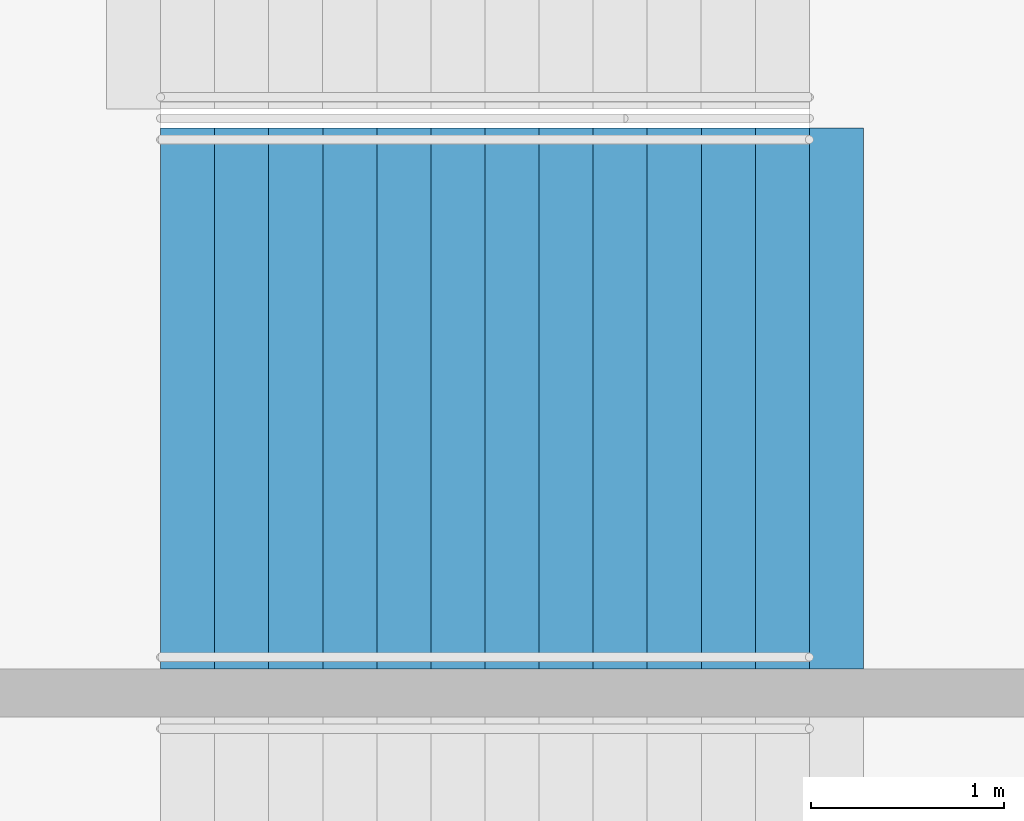
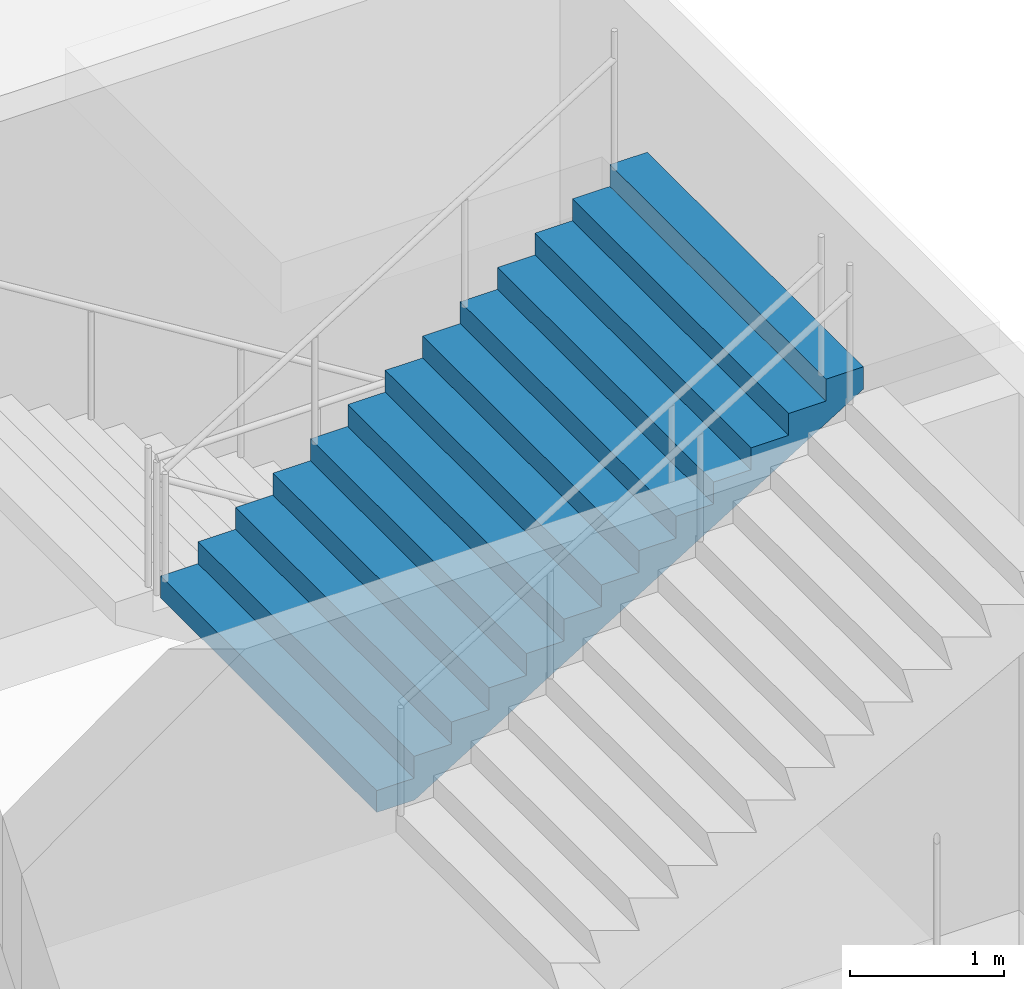
# One storey, part 110 of 177: 1 stair flight, 1 element without a shape of its own.
"""IFC4 building model written with IfcOpenShell, lengths in metres."""

from ifc_helpers import new_model, si_unit, direction, frame, origin, place, context, subcontext, project, spatial, faceted_brep, material, type_object, element, aggregate, save


model = new_model("IFC4")

# Units and contexts
model_context = context("Model", 3, precision=1e-05, world=origin(), true_north=direction((0.0, 1.0)))
body_context = subcontext(model_context, "Body", "Model", "MODEL_VIEW")
ifc_project = project(units=[si_unit("LENGTHUNIT", "METRE"), si_unit("AREAUNIT", "SQUARE_METRE"), si_unit("VOLUMEUNIT", "CUBIC_METRE"), si_unit("PLANEANGLEUNIT", "RADIAN"), si_unit("MASSUNIT", "GRAM", prefix="KILO")], contexts=[model_context])

# Site, building, storey
site_placement = place(None, origin())
site = spatial("IfcSite", under=ifc_project, at=site_placement, CompositionType="ELEMENT")
building_placement = place(site_placement, origin())
building = spatial("IfcBuilding", under=site, at=building_placement, Name="Ogive Plaza Stadium", CompositionType="ELEMENT")
storey_placement = place(building_placement, frame((0.0, 0.0, 18.0)))
storey = spatial("IfcBuildingStorey", under=building, at=storey_placement, Name="L04", CompositionType="ELEMENT", Elevation=18.0)

# Stair, stair flight
ifc_material_1 = material(Name="Concrete C40/50", Category="concrete")
stair_type = type_object("IfcStairType", Name="Exit stair", PredefinedType="STRAIGHT_RUN_STAIR", material=ifc_material_1)
stair_placement = place(storey_placement, origin())
stair = element("IfcStair", 1, at=stair_placement, inside=storey, type_object=stair_type, Name="Exit stair ST24A L04 to L05", PredefinedType="STRAIGHT_RUN_STAIR")
ifc_material_2 = material(Name="Concrete C40/50", Category="concrete")
stair_flight_type = type_object("IfcStairFlightType", Name="Exit stair flight", PredefinedType="STRAIGHT", material=ifc_material_2)
stair_flight_placement = place(storey_placement, frame((-79.7099609375, -5.97509765625, 2.25), z_axis=(0.0, 0.0, 1.0), x_axis=(1.0, 0.0, 0.0)))
stair_flight = element("IfcStairFlight", 2, at=stair_flight_placement, type_object=stair_flight_type, Name="ST24A flight 2", NumberOfRisers=13, NumberOfTreads=12, PredefinedType="STRAIGHT", RiserHeight=0.173076923, TreadLength=0.28, context=body_context, shape_type="Brep", body=[
    faceted_brep([(0.28515625, -1.39990234375, 0.0), (3.639892578125, -1.39990234375, 2.07373046875), (3.639892578125, -1.39990234375, 2.25), (3.360107421875, -1.39990234375, 2.25), (3.360107421875, -1.39990234375, 2.076904296875), (3.080078125, -1.39990234375, 2.076904296875), (3.080078125, -1.39990234375, 1.90380859375), (2.800048828125, -1.39990234375, 1.90380859375), (2.800048828125, -1.39990234375, 1.730712890625), (2.52001953125, -1.39990234375, 1.730712890625), (2.52001953125, -1.39990234375, 1.5576171875), (2.239990234375, -1.39990234375, 1.5576171875), (2.239990234375, -1.39990234375, 1.384521484375), (1.9599609375, -1.39990234375, 1.384521484375), (1.9599609375, -1.39990234375, 1.21142578125), (1.679931640625, -1.39990234375, 1.21142578125), (1.679931640625, -1.39990234375, 1.03857421875), (1.39990234375, -1.39990234375, 1.03857421875), (1.39990234375, -1.39990234375, 0.865478515625), (1.1201171875, -1.39990234375, 0.865478515625), (1.1201171875, -1.39990234375, 0.6923828125), (0.840087890625, -1.39990234375, 0.6923828125), (0.840087890625, -1.39990234375, 0.519287109375), (0.56005859375, -1.39990234375, 0.519287109375), (0.56005859375, -1.39990234375, 0.34619140625), (0.280029296875, -1.39990234375, 0.34619140625), (0.280029296875, -1.39990234375, 0.173095703125), (0.0, -1.39990234375, 0.173095703125), (0.0, -1.39990234375, 0.0), (0.0, 1.39990234375, 0.0), (0.0, 1.39990234375, 0.173095703125), (0.280029296875, 1.39990234375, 0.173095703125), (0.280029296875, 1.39990234375, 0.34619140625), (0.56005859375, 1.39990234375, 0.34619140625), (0.56005859375, 1.39990234375, 0.519287109375), (0.840087890625, 1.39990234375, 0.519287109375), (0.840087890625, 1.39990234375, 0.6923828125), (1.1201171875, 1.39990234375, 0.6923828125), (1.1201171875, 1.39990234375, 0.865478515625), (1.39990234375, 1.39990234375, 0.865478515625), (1.39990234375, 1.39990234375, 1.03857421875), (1.679931640625, 1.39990234375, 1.03857421875), (1.679931640625, 1.39990234375, 1.21142578125), (1.9599609375, 1.39990234375, 1.21142578125), (1.9599609375, 1.39990234375, 1.384521484375), (2.239990234375, 1.39990234375, 1.384521484375), (2.239990234375, 1.39990234375, 1.5576171875), (2.52001953125, 1.39990234375, 1.5576171875), (2.52001953125, 1.39990234375, 1.730712890625), (2.800048828125, 1.39990234375, 1.730712890625), (2.800048828125, 1.39990234375, 1.90380859375), (3.080078125, 1.39990234375, 1.90380859375), (3.080078125, 1.39990234375, 2.076904296875), (3.360107421875, 1.39990234375, 2.076904296875), (3.360107421875, 1.39990234375, 2.25), (3.639892578125, 1.39990234375, 2.25), (3.639892578125, 1.39990234375, 2.07373046875), (0.28515625, 1.39990234375, 0.0), (0.28515625, -1.0888671875, 0.0), (3.639892578125, -1.0888671875, 2.07373046875), (0.28515625, -0.77783203125, 0.0), (3.639892578125, -0.77783203125, 2.07373046875), (0.28515625, -0.466796875, 0.0), (3.639892578125, -0.466796875, 2.07373046875), (0.28515625, -0.155517578125, 0.0), (3.639892578125, -0.155517578125, 2.07373046875), (0.28515625, 0.155517578125, 0.0), (3.639892578125, 0.155517578125, 2.07373046875), (0.28515625, 0.466796875, 0.0), (3.639892578125, 0.466796875, 2.07373046875), (0.28515625, 0.77783203125, 0.0), (3.639892578125, 0.77783203125, 2.07373046875), (0.28515625, 1.0888671875, 0.0), (3.639892578125, 1.0888671875, 2.07373046875), (3.639892578125, -1.0888671875, 2.25), (3.639892578125, -0.77783203125, 2.25), (3.639892578125, -0.466796875, 2.25), (3.639892578125, -0.155517578125, 2.25), (3.639892578125, 0.155517578125, 2.25), (3.639892578125, 0.466796875, 2.25), (3.639892578125, 0.77783203125, 2.25), (3.639892578125, 1.0888671875, 2.25), (3.360107421875, -1.0888671875, 2.25), (3.360107421875, -0.77783203125, 2.25), (3.360107421875, -0.466796875, 2.25), (3.360107421875, -0.155517578125, 2.25), (3.360107421875, 0.155517578125, 2.25), (3.360107421875, 0.466796875, 2.25), (3.360107421875, 0.77783203125, 2.25), (3.360107421875, 1.0888671875, 2.25), (3.360107421875, -1.0888671875, 2.076904296875), (3.360107421875, -0.77783203125, 2.076904296875), (3.360107421875, -0.466796875, 2.076904296875), (3.360107421875, -0.155517578125, 2.076904296875), (3.360107421875, 0.155517578125, 2.076904296875), (3.360107421875, 0.466796875, 2.076904296875), (3.360107421875, 0.77783203125, 2.076904296875), (3.360107421875, 1.0888671875, 2.076904296875), (3.080078125, -1.0888671875, 2.076904296875), (3.080078125, -0.77783203125, 2.076904296875), (3.080078125, -0.466796875, 2.076904296875), (3.080078125, -0.155517578125, 2.076904296875), (3.080078125, 0.155517578125, 2.076904296875), (3.080078125, 0.466796875, 2.076904296875), (3.080078125, 0.77783203125, 2.076904296875), (3.080078125, 1.0888671875, 2.076904296875), (3.080078125, -1.0888671875, 1.90380859375), (3.080078125, -0.77783203125, 1.90380859375), (3.080078125, -0.466796875, 1.90380859375), (3.080078125, -0.155517578125, 1.90380859375), (3.080078125, 0.155517578125, 1.90380859375), (3.080078125, 0.466796875, 1.90380859375), (3.080078125, 0.77783203125, 1.90380859375), (3.080078125, 1.0888671875, 1.90380859375), (2.800048828125, -1.0888671875, 1.90380859375), (2.800048828125, -0.77783203125, 1.90380859375), (2.800048828125, -0.466796875, 1.90380859375), (2.800048828125, -0.155517578125, 1.90380859375), (2.800048828125, 0.155517578125, 1.90380859375), (2.800048828125, 0.466796875, 1.90380859375), (2.800048828125, 0.77783203125, 1.90380859375), (2.800048828125, 1.0888671875, 1.90380859375), (2.800048828125, -1.0888671875, 1.730712890625), (2.800048828125, -0.77783203125, 1.730712890625), (2.800048828125, -0.466796875, 1.730712890625), (2.800048828125, -0.155517578125, 1.730712890625), (2.800048828125, 0.155517578125, 1.730712890625), (2.800048828125, 0.466796875, 1.730712890625), (2.800048828125, 0.77783203125, 1.730712890625), (2.800048828125, 1.0888671875, 1.730712890625), (2.52001953125, -1.0888671875, 1.730712890625), (2.52001953125, -0.77783203125, 1.730712890625), (2.52001953125, -0.466796875, 1.730712890625), (2.52001953125, -0.155517578125, 1.730712890625), (2.52001953125, 0.155517578125, 1.730712890625), (2.52001953125, 0.466796875, 1.730712890625), (2.52001953125, 0.77783203125, 1.730712890625), (2.52001953125, 1.0888671875, 1.730712890625), (2.52001953125, -1.0888671875, 1.5576171875), (2.52001953125, -0.77783203125, 1.5576171875), (2.52001953125, -0.466796875, 1.5576171875), (2.52001953125, -0.155517578125, 1.5576171875), (2.52001953125, 0.155517578125, 1.5576171875), (2.52001953125, 0.466796875, 1.5576171875), (2.52001953125, 0.77783203125, 1.5576171875), (2.52001953125, 1.0888671875, 1.5576171875), (2.239990234375, -1.0888671875, 1.5576171875), (2.239990234375, -0.77783203125, 1.5576171875), (2.239990234375, -0.466796875, 1.5576171875), (2.239990234375, -0.155517578125, 1.5576171875), (2.239990234375, 0.155517578125, 1.5576171875), (2.239990234375, 0.466796875, 1.5576171875), (2.239990234375, 0.77783203125, 1.5576171875), (2.239990234375, 1.0888671875, 1.5576171875), (2.239990234375, -1.0888671875, 1.384521484375), (2.239990234375, -0.77783203125, 1.384521484375), (2.239990234375, -0.466796875, 1.384521484375), (2.239990234375, -0.155517578125, 1.384521484375), (2.239990234375, 0.155517578125, 1.384521484375), (2.239990234375, 0.466796875, 1.384521484375), (2.239990234375, 0.77783203125, 1.384521484375), (2.239990234375, 1.0888671875, 1.384521484375), (1.9599609375, -1.0888671875, 1.384521484375), (1.9599609375, -0.77783203125, 1.384521484375), (1.9599609375, -0.466796875, 1.384521484375), (1.9599609375, -0.155517578125, 1.384521484375), (1.9599609375, 0.155517578125, 1.384521484375), (1.9599609375, 0.466796875, 1.384521484375), (1.9599609375, 0.77783203125, 1.384521484375), (1.9599609375, 1.0888671875, 1.384521484375), (1.9599609375, -1.0888671875, 1.21142578125), (1.9599609375, -0.77783203125, 1.21142578125), (1.9599609375, -0.466796875, 1.21142578125), (1.9599609375, -0.155517578125, 1.21142578125), (1.9599609375, 0.155517578125, 1.21142578125), (1.9599609375, 0.466796875, 1.21142578125), (1.9599609375, 0.77783203125, 1.21142578125), (1.9599609375, 1.0888671875, 1.21142578125), (1.679931640625, -1.0888671875, 1.21142578125), (1.679931640625, -0.77783203125, 1.21142578125), (1.679931640625, -0.466796875, 1.21142578125), (1.679931640625, -0.155517578125, 1.21142578125), (1.679931640625, 0.155517578125, 1.21142578125), (1.679931640625, 0.466796875, 1.21142578125), (1.679931640625, 0.77783203125, 1.21142578125), (1.679931640625, 1.0888671875, 1.21142578125), (1.679931640625, -1.0888671875, 1.03857421875), (1.679931640625, -0.77783203125, 1.03857421875), (1.679931640625, -0.466796875, 1.03857421875), (1.679931640625, -0.155517578125, 1.03857421875), (1.679931640625, 0.155517578125, 1.03857421875), (1.679931640625, 0.466796875, 1.03857421875), (1.679931640625, 0.77783203125, 1.03857421875), (1.679931640625, 1.0888671875, 1.03857421875), (1.39990234375, -1.0888671875, 1.03857421875), (1.39990234375, -0.77783203125, 1.03857421875), (1.39990234375, -0.466796875, 1.03857421875), (1.39990234375, -0.155517578125, 1.03857421875), (1.39990234375, 0.155517578125, 1.03857421875), (1.39990234375, 0.466796875, 1.03857421875), (1.39990234375, 0.77783203125, 1.03857421875), (1.39990234375, 1.0888671875, 1.03857421875), (1.39990234375, -1.0888671875, 0.865478515625), (1.39990234375, -0.77783203125, 0.865478515625), (1.39990234375, -0.466796875, 0.865478515625), (1.39990234375, -0.155517578125, 0.865478515625), (1.39990234375, 0.155517578125, 0.865478515625), (1.39990234375, 0.466796875, 0.865478515625), (1.39990234375, 0.77783203125, 0.865478515625), (1.39990234375, 1.0888671875, 0.865478515625), (1.1201171875, -1.0888671875, 0.865478515625), (1.1201171875, -0.77783203125, 0.865478515625), (1.1201171875, -0.466796875, 0.865478515625), (1.1201171875, -0.155517578125, 0.865478515625), (1.1201171875, 0.155517578125, 0.865478515625), (1.1201171875, 0.466796875, 0.865478515625), (1.1201171875, 0.77783203125, 0.865478515625), (1.1201171875, 1.0888671875, 0.865478515625), (1.1201171875, -1.0888671875, 0.6923828125), (1.1201171875, -0.77783203125, 0.6923828125), (1.1201171875, -0.466796875, 0.6923828125), (1.1201171875, -0.155517578125, 0.6923828125), (1.1201171875, 0.155517578125, 0.6923828125), (1.1201171875, 0.466796875, 0.6923828125), (1.1201171875, 0.77783203125, 0.6923828125), (1.1201171875, 1.0888671875, 0.6923828125), (0.840087890625, -1.0888671875, 0.6923828125), (0.840087890625, -0.77783203125, 0.6923828125), (0.840087890625, -0.466796875, 0.6923828125), (0.840087890625, -0.155517578125, 0.6923828125), (0.840087890625, 0.155517578125, 0.6923828125), (0.840087890625, 0.466796875, 0.6923828125), (0.840087890625, 0.77783203125, 0.6923828125), (0.840087890625, 1.0888671875, 0.6923828125), (0.840087890625, -1.0888671875, 0.519287109375), (0.840087890625, -0.77783203125, 0.519287109375), (0.840087890625, -0.466796875, 0.519287109375), (0.840087890625, -0.155517578125, 0.519287109375), (0.840087890625, 0.155517578125, 0.519287109375), (0.840087890625, 0.466796875, 0.519287109375), (0.840087890625, 0.77783203125, 0.519287109375), (0.840087890625, 1.0888671875, 0.519287109375), (0.56005859375, -1.0888671875, 0.519287109375), (0.56005859375, -0.77783203125, 0.519287109375), (0.56005859375, -0.466796875, 0.519287109375), (0.56005859375, -0.155517578125, 0.519287109375), (0.56005859375, 0.155517578125, 0.519287109375), (0.56005859375, 0.466796875, 0.519287109375), (0.56005859375, 0.77783203125, 0.519287109375), (0.56005859375, 1.0888671875, 0.519287109375), (0.56005859375, -1.0888671875, 0.34619140625), (0.56005859375, -0.77783203125, 0.34619140625), (0.56005859375, -0.466796875, 0.34619140625), (0.56005859375, -0.155517578125, 0.34619140625), (0.56005859375, 0.155517578125, 0.34619140625), (0.56005859375, 0.466796875, 0.34619140625), (0.56005859375, 0.77783203125, 0.34619140625), (0.56005859375, 1.0888671875, 0.34619140625), (0.280029296875, -1.0888671875, 0.34619140625), (0.280029296875, -0.77783203125, 0.34619140625), (0.280029296875, -0.466796875, 0.34619140625), (0.280029296875, -0.155517578125, 0.34619140625), (0.280029296875, 0.155517578125, 0.34619140625), (0.280029296875, 0.466796875, 0.34619140625), (0.280029296875, 0.77783203125, 0.34619140625), (0.280029296875, 1.0888671875, 0.34619140625), (0.280029296875, -1.0888671875, 0.173095703125), (0.280029296875, -0.77783203125, 0.173095703125), (0.280029296875, -0.466796875, 0.173095703125), (0.280029296875, -0.155517578125, 0.173095703125), (0.280029296875, 0.155517578125, 0.173095703125), (0.280029296875, 0.466796875, 0.173095703125), (0.280029296875, 0.77783203125, 0.173095703125), (0.280029296875, 1.0888671875, 0.173095703125), (0.0, -1.0888671875, 0.173095703125), (0.0, -0.77783203125, 0.173095703125), (0.0, -0.466796875, 0.173095703125), (0.0, -0.155517578125, 0.173095703125), (0.0, 0.155517578125, 0.173095703125), (0.0, 0.466796875, 0.173095703125), (0.0, 0.77783203125, 0.173095703125), (0.0, 1.0888671875, 0.173095703125), (0.0, -1.0888671875, 0.0), (0.0, -0.77783203125, 0.0), (0.0, -0.466796875, 0.0), (0.0, -0.155517578125, 0.0), (0.0, 0.155517578125, 0.0), (0.0, 0.466796875, 0.0), (0.0, 0.77783203125, 0.0), (0.0, 1.0888671875, 0.0)], [[[0, 1, 2, 3, 4, 5, 6, 7, 8, 9, 10, 11, 12, 13, 14, 15, 16, 17, 18, 19, 20, 21, 22, 23, 24, 25, 26, 27, 28]], [[29, 30, 31, 32, 33, 34, 35, 36, 37, 38, 39, 40, 41, 42, 43, 44, 45, 46, 47, 48, 49, 50, 51, 52, 53, 54, 55, 56, 57]], [[0, 58, 59, 1]], [[58, 60, 61, 59]], [[60, 62, 63, 61]], [[62, 64, 65, 63]], [[64, 66, 67, 65]], [[66, 68, 69, 67]], [[68, 70, 71, 69]], [[70, 72, 73, 71]], [[72, 57, 56, 73]], [[1, 59, 74, 2]], [[59, 61, 75, 74]], [[61, 63, 76, 75]], [[63, 65, 77, 76]], [[65, 67, 78, 77]], [[67, 69, 79, 78]], [[69, 71, 80, 79]], [[71, 73, 81, 80]], [[73, 56, 55, 81]], [[2, 74, 82, 3]], [[74, 75, 83, 82]], [[75, 76, 84, 83]], [[76, 77, 85, 84]], [[77, 78, 86, 85]], [[78, 79, 87, 86]], [[79, 80, 88, 87]], [[80, 81, 89, 88]], [[81, 55, 54, 89]], [[3, 82, 90, 4]], [[82, 83, 91, 90]], [[83, 84, 92, 91]], [[84, 85, 93, 92]], [[85, 86, 94, 93]], [[86, 87, 95, 94]], [[87, 88, 96, 95]], [[88, 89, 97, 96]], [[89, 54, 53, 97]], [[4, 90, 98, 5]], [[90, 91, 99, 98]], [[91, 92, 100, 99]], [[92, 93, 101, 100]], [[93, 94, 102, 101]], [[94, 95, 103, 102]], [[95, 96, 104, 103]], [[96, 97, 105, 104]], [[97, 53, 52, 105]], [[5, 98, 106, 6]], [[98, 99, 107, 106]], [[99, 100, 108, 107]], [[100, 101, 109, 108]], [[101, 102, 110, 109]], [[102, 103, 111, 110]], [[103, 104, 112, 111]], [[104, 105, 113, 112]], [[105, 52, 51, 113]], [[6, 106, 114, 7]], [[106, 107, 115, 114]], [[107, 108, 116, 115]], [[108, 109, 117, 116]], [[109, 110, 118, 117]], [[110, 111, 119, 118]], [[111, 112, 120, 119]], [[112, 113, 121, 120]], [[113, 51, 50, 121]], [[7, 114, 122, 8]], [[114, 115, 123, 122]], [[115, 116, 124, 123]], [[116, 117, 125, 124]], [[117, 118, 126, 125]], [[118, 119, 127, 126]], [[119, 120, 128, 127]], [[120, 121, 129, 128]], [[121, 50, 49, 129]], [[8, 122, 130, 9]], [[122, 123, 131, 130]], [[123, 124, 132, 131]], [[124, 125, 133, 132]], [[125, 126, 134, 133]], [[126, 127, 135, 134]], [[127, 128, 136, 135]], [[128, 129, 137, 136]], [[129, 49, 48, 137]], [[9, 130, 138, 10]], [[130, 131, 139, 138]], [[131, 132, 140, 139]], [[132, 133, 141, 140]], [[133, 134, 142, 141]], [[134, 135, 143, 142]], [[135, 136, 144, 143]], [[136, 137, 145, 144]], [[137, 48, 47, 145]], [[10, 138, 146, 11]], [[138, 139, 147, 146]], [[139, 140, 148, 147]], [[140, 141, 149, 148]], [[141, 142, 150, 149]], [[142, 143, 151, 150]], [[143, 144, 152, 151]], [[144, 145, 153, 152]], [[145, 47, 46, 153]], [[11, 146, 154, 12]], [[146, 147, 155, 154]], [[147, 148, 156, 155]], [[148, 149, 157, 156]], [[149, 150, 158, 157]], [[150, 151, 159, 158]], [[151, 152, 160, 159]], [[152, 153, 161, 160]], [[153, 46, 45, 161]], [[12, 154, 162, 13]], [[154, 155, 163, 162]], [[155, 156, 164, 163]], [[156, 157, 165, 164]], [[157, 158, 166, 165]], [[158, 159, 167, 166]], [[159, 160, 168, 167]], [[160, 161, 169, 168]], [[161, 45, 44, 169]], [[13, 162, 170, 14]], [[162, 163, 171, 170]], [[163, 164, 172, 171]], [[164, 165, 173, 172]], [[165, 166, 174, 173]], [[166, 167, 175, 174]], [[167, 168, 176, 175]], [[168, 169, 177, 176]], [[169, 44, 43, 177]], [[14, 170, 178, 15]], [[170, 171, 179, 178]], [[171, 172, 180, 179]], [[172, 173, 181, 180]], [[173, 174, 182, 181]], [[174, 175, 183, 182]], [[175, 176, 184, 183]], [[176, 177, 185, 184]], [[177, 43, 42, 185]], [[15, 178, 186, 16]], [[178, 179, 187, 186]], [[179, 180, 188, 187]], [[180, 181, 189, 188]], [[181, 182, 190, 189]], [[182, 183, 191, 190]], [[183, 184, 192, 191]], [[184, 185, 193, 192]], [[185, 42, 41, 193]], [[16, 186, 194, 17]], [[186, 187, 195, 194]], [[187, 188, 196, 195]], [[188, 189, 197, 196]], [[189, 190, 198, 197]], [[190, 191, 199, 198]], [[191, 192, 200, 199]], [[192, 193, 201, 200]], [[193, 41, 40, 201]], [[17, 194, 202, 18]], [[194, 195, 203, 202]], [[195, 196, 204, 203]], [[196, 197, 205, 204]], [[197, 198, 206, 205]], [[198, 199, 207, 206]], [[199, 200, 208, 207]], [[200, 201, 209, 208]], [[201, 40, 39, 209]], [[18, 202, 210, 19]], [[202, 203, 211, 210]], [[203, 204, 212, 211]], [[204, 205, 213, 212]], [[205, 206, 214, 213]], [[206, 207, 215, 214]], [[207, 208, 216, 215]], [[208, 209, 217, 216]], [[209, 39, 38, 217]], [[19, 210, 218, 20]], [[210, 211, 219, 218]], [[211, 212, 220, 219]], [[212, 213, 221, 220]], [[213, 214, 222, 221]], [[214, 215, 223, 222]], [[215, 216, 224, 223]], [[216, 217, 225, 224]], [[217, 38, 37, 225]], [[20, 218, 226, 21]], [[218, 219, 227, 226]], [[219, 220, 228, 227]], [[220, 221, 229, 228]], [[221, 222, 230, 229]], [[222, 223, 231, 230]], [[223, 224, 232, 231]], [[224, 225, 233, 232]], [[225, 37, 36, 233]], [[21, 226, 234, 22]], [[226, 227, 235, 234]], [[227, 228, 236, 235]], [[228, 229, 237, 236]], [[229, 230, 238, 237]], [[230, 231, 239, 238]], [[231, 232, 240, 239]], [[232, 233, 241, 240]], [[233, 36, 35, 241]], [[22, 234, 242, 23]], [[234, 235, 243, 242]], [[235, 236, 244, 243]], [[236, 237, 245, 244]], [[237, 238, 246, 245]], [[238, 239, 247, 246]], [[239, 240, 248, 247]], [[240, 241, 249, 248]], [[241, 35, 34, 249]], [[23, 242, 250, 24]], [[242, 243, 251, 250]], [[243, 244, 252, 251]], [[244, 245, 253, 252]], [[245, 246, 254, 253]], [[246, 247, 255, 254]], [[247, 248, 256, 255]], [[248, 249, 257, 256]], [[249, 34, 33, 257]], [[24, 250, 258, 25]], [[250, 251, 259, 258]], [[251, 252, 260, 259]], [[252, 253, 261, 260]], [[253, 254, 262, 261]], [[254, 255, 263, 262]], [[255, 256, 264, 263]], [[256, 257, 265, 264]], [[257, 33, 32, 265]], [[25, 258, 266, 26]], [[258, 259, 267, 266]], [[259, 260, 268, 267]], [[260, 261, 269, 268]], [[261, 262, 270, 269]], [[262, 263, 271, 270]], [[263, 264, 272, 271]], [[264, 265, 273, 272]], [[265, 32, 31, 273]], [[26, 266, 274, 27]], [[266, 267, 275, 274]], [[267, 268, 276, 275]], [[268, 269, 277, 276]], [[269, 270, 278, 277]], [[270, 271, 279, 278]], [[271, 272, 280, 279]], [[272, 273, 281, 280]], [[273, 31, 30, 281]], [[27, 274, 282, 28]], [[274, 275, 283, 282]], [[275, 276, 284, 283]], [[276, 277, 285, 284]], [[277, 278, 286, 285]], [[278, 279, 287, 286]], [[279, 280, 288, 287]], [[280, 281, 289, 288]], [[281, 30, 29, 289]], [[28, 282, 58, 0]], [[282, 283, 60, 58]], [[283, 284, 62, 60]], [[284, 285, 64, 62]], [[285, 286, 66, 64]], [[286, 287, 68, 66]], [[287, 288, 70, 68]], [[288, 289, 72, 70]], [[289, 29, 57, 72]]]),
])
aggregate(stair, [stair_flight])

save(model, "model.ifc")
